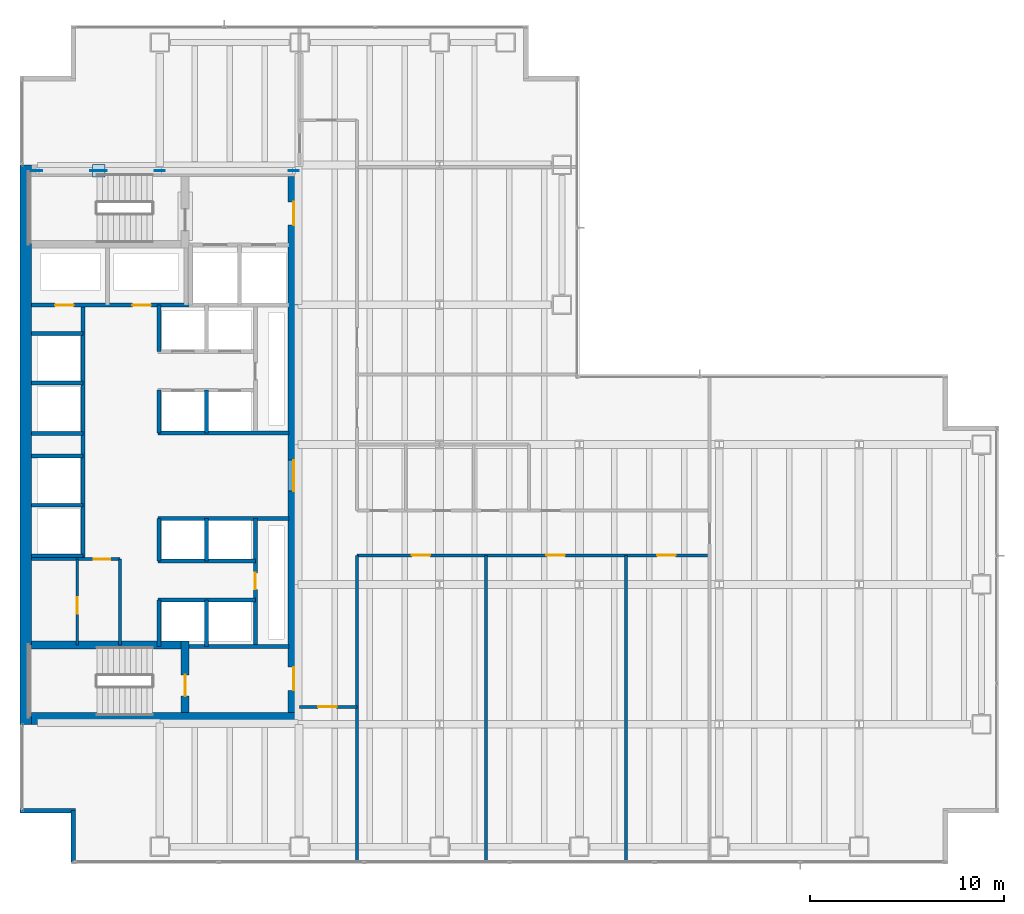
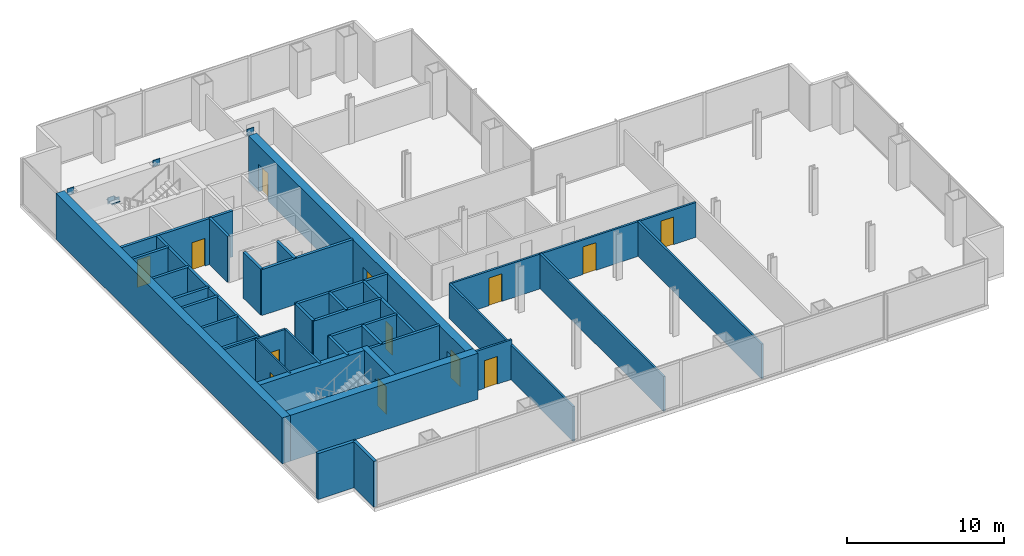
# One storey, part 20 of 25: 37 walls, 13 doors, 6 plates, 13 openings.
"""IFC4 building model written with IfcOpenShell, lengths in metres."""

from ifc_helpers import new_model, si_unit, direction, frame, frame_2d, origin, origin_2d, place, context, subcontext, project, spatial, rectangle, extrude, material, layer, layer_set, type_object, element, fill, save


model = new_model("IFC4")

# Units and contexts
model_context = context("Model", 3, precision=1e-05, world=origin(), true_north=direction((0.0, 1.0)))
body_context = subcontext(model_context, "Body", "Model", "MODEL_VIEW")
ifc_project = project(units=[si_unit("LENGTHUNIT", "METRE"), si_unit("AREAUNIT", "SQUARE_METRE"), si_unit("VOLUMEUNIT", "CUBIC_METRE"), si_unit("PLANEANGLEUNIT", "RADIAN"), si_unit("MASSUNIT", "GRAM", prefix="KILO")], contexts=[model_context])

# Site, building, storey
site_placement = place(None, origin())
site = spatial("IfcSite", under=ifc_project, at=site_placement, CompositionType="ELEMENT")
building_placement = place(site_placement, origin())
building = spatial("IfcBuilding", under=site, at=building_placement, Name="Cobrela Telecom Tower", CompositionType="ELEMENT")
storey_placement = place(building_placement, frame((0.0, 0.0, 46.550048828125)))
storey = spatial("IfcBuildingStorey", under=building, at=storey_placement, Name="L11", CompositionType="ELEMENT", Elevation=46.550048828125)

# Plates
ifc_material_1 = material(Name="Steel ASTM A572 Grade 50", Category="steel")
ifc_layer_1 = layer(ifc_material_1, 0.0419921875)
ifc_layer_set_1 = layer_set([ifc_layer_1], Name="Steel ASTM A572 Grade 50")
plate_type = type_object("IfcPlateType", Name="PLT-NODE-ND1", PredefinedType="USERDEFINED", material=ifc_layer_set_1)
for number, where, z_axis, x_axis, name in (
    (1, (7.199951171875, 35.699951171875, 3.35498046875), (0.0, 0.0, 1.0), (1.0, 0.0, 0.0), "Steel node plate PLT-MBR-EXO-L11-N1-A-1"),
    (2, (4.219482421875, 35.699951171875, 1.431640625), (0.0, 0.0, 1.0), (-1.0, 0.0, 0.0), "Steel node plate PLT-MBR-EXO-L11-N1-B1-1"),
    (3, (3.88037109375, 35.699951171875, 1.62841796875), (0.0, 0.0, 1.0), (-1.0, 0.0, 0.0), "Steel node plate PLT-MBR-EXO-L11-N1-B2-0"),
    (4, (0.89990234375, 35.699951171875, 3.35498046875), (0.0, 0.0, 1.0), (-1.0, 0.0, 0.0), "Steel node plate PLT-MBR-EXO-L11-N1-B2-1"),
):
    element("IfcPlate", number, at=place(storey_placement, frame(where, z_axis=z_axis, x_axis=x_axis)), inside=storey, type_object=plate_type, Name=name, ObjectType="GUSSET PLATE", PredefinedType="USERDEFINED", context=body_context, shape_type="SweptSolid", body=[
        extrude(rectangle(XDim=0.510009765625, YDim=0.044921875, at=origin_2d()), origin(), (0.0, 0.0, 1.0), 0.510009765625),
    ])
plate_1_placement = place(storey_placement, frame((4.050048828125, 35.699951171875, 1.762451171875), z_axis=(0.0, 0.0, 1.0), x_axis=(1.0, 0.0, 0.0)))
element("IfcPlate", 5, at=plate_1_placement, inside=storey, type_object=plate_type, Name="L11 Core Flange Steel X-Brace Central X-Crossing Gusset Plate", ObjectType="GUSSET PLATE", PredefinedType="USERDEFINED", context=body_context, shape_type="SweptSolid", body=[
    extrude(rectangle(XDim=0.64990234375, YDim=0.64990234375, at=origin_2d()), origin(), (0.0, 0.0, 1.0), 0.044921875),
])
plate_2_placement = place(storey_placement, frame((14.10009765625, 35.699951171875, 3.35498046875), z_axis=(0.0, 0.0, 1.0), x_axis=(1.0, 0.0, 0.0)))
element("IfcPlate", 6, at=plate_2_placement, inside=storey, type_object=plate_type, Name="Steel node plate PLT-MBR-EXO-L11-N2-1", ObjectType="GUSSET PLATE", PredefinedType="USERDEFINED", context=body_context, shape_type="SweptSolid", body=[
    extrude(rectangle(XDim=0.510009765625, YDim=0.044921875, at=origin_2d()), origin(), (0.0, 0.0, 1.0), 0.510009765625),
])

# Walls
ifc_material_2 = material(Name="Concrete C50/60", Category="concrete")
ifc_layer_2 = layer(ifc_material_2, 0.60009765625)
ifc_layer_set_2 = layer_set([ifc_layer_2], Name="Concrete C50/60")
wall_type_1 = type_object("IfcWallType", Name="WALL-CORE-C50-600", PredefinedType="SHEAR", material=ifc_layer_set_2)
wall_1_placement = place(storey_placement, frame((0.300048828125, 7.199951171875, 0.0), z_axis=(0.0, 0.0, 1.0), x_axis=(0.0, 1.0, 0.0)))
element("IfcWall", 7, at=wall_1_placement, inside=storey, type_object=wall_type_1, Name="L11 West Core Shear Wall", PredefinedType="SHEAR", context=body_context, shape_type="SweptSolid", body=[
    extrude(rectangle(XDim=28.800048828125, YDim=0.60009765625, at=frame_2d((14.39990234375, 0.0))), origin(), (0.0, 0.0, 1.0), 3.570068359375),
])
wall_2_placement = place(storey_placement, frame((0.60009765625, 7.5, 0.0), z_axis=(0.0, 0.0, 1.0), x_axis=(1.0, 0.0, 0.0)))
element("IfcWall", 8, at=wall_2_placement, inside=storey, type_object=wall_type_1, Name="L11 South Core Shear Wall", PredefinedType="SHEAR", context=body_context, shape_type="SweptSolid", body=[
    extrude(rectangle(XDim=13.7998046875, YDim=0.60009765625, at=frame_2d((6.89990234375, 0.0))), origin(), (0.0, 0.0, 1.0), 3.570068359375),
])

# Wall, openings, doors
wall_3_placement = place(storey_placement, frame((14.10009765625, 35.39990234375, 0.0), z_axis=(0.0, 0.0, 1.0), x_axis=(0.0, -1.0, 0.0)))
wall_3 = element("IfcWall", 9, at=wall_3_placement, inside=storey, type_object=wall_type_1, Name="L11 East Core Shear Wall", PredefinedType="SHEAR", context=body_context, shape_type="SweptSolid", body=[
    extrude(rectangle(XDim=27.599853515625, YDim=0.60009765625, at=frame_2d((13.7998046875, 0.0))), origin(), (0.0, 0.0, 1.0), 3.570068359375),
])
opening_1_placement = place(wall_3_placement, frame((1.300048828125, 0.0, 0.0)))
opening_1 = element("IfcOpeningElement", 10, at=opening_1_placement, cuts=wall_3, Name="Opening DR-19", PredefinedType="OPENING", context=body_context, shape_type="SweptSolid", body=[
    extrude(rectangle(XDim=1.199951171875, YDim=2.14990234375, at=frame_2d((0.60009765625, 1.074951171875))), frame((0.0, 0.31201171875, 0.0), z_axis=(0.0, -1.0, 0.0), x_axis=(1.0, 0.0, 0.0)), (0.0, 0.0, 1.0), 0.6240234375),
])
opening_2_placement = place(wall_3_placement, frame((25.25, 0.0, 0.0)))
opening_2 = element("IfcOpeningElement", 11, at=opening_2_placement, cuts=wall_3, Name="Opening DR-19", PredefinedType="OPENING", context=body_context, shape_type="SweptSolid", body=[
    extrude(rectangle(XDim=1.199951171875, YDim=2.14990234375, at=frame_2d((0.60009765625, 1.074951171875))), frame((0.0, 0.31201171875, 0.0), z_axis=(0.0, -1.0, 0.0), x_axis=(1.0, 0.0, 0.0)), (0.0, 0.0, 1.0), 0.6240234375),
])
opening_3_placement = place(wall_3_placement, frame((14.60009765625, 0.0, 0.0)))
opening_3 = element("IfcOpeningElement", 12, at=opening_3_placement, cuts=wall_3, Name="Opening DR-51", PredefinedType="OPENING", context=body_context, shape_type="SweptSolid", body=[
    extrude(rectangle(XDim=1.60009765625, YDim=2.199951171875, at=frame_2d((0.800048828125, 1.10009765625))), frame((0.0, 0.31201171875, 0.0), z_axis=(0.0, -1.0, 0.0), x_axis=(1.0, 0.0, 0.0)), (0.0, 0.0, 1.0), 0.6240234375),
])
ifc_material_3 = material(Name="Steel ASTM A36", Category="steel")
door_type_1 = type_object("IfcDoorType", Name="DOOR-FD60-1200", OperationType="SINGLE_SWING_LEFT", PredefinedType="DOOR", material=ifc_material_3)
door_1_placement = place(opening_1_placement, origin())
door_1 = element("IfcDoor", 13, at=door_1_placement, inside=storey, type_object=door_type_1, Name="L11 Door DR-19", OperationType="SINGLE_SWING_LEFT", OverallHeight=2.14990234375, OverallWidth=1.199951171875, PredefinedType="DOOR", context=body_context, shape_type="SweptSolid", body=[
    extrude(rectangle(XDim=1.199951171875, YDim=2.14990234375, at=frame_2d((0.60009765625, 1.074951171875))), frame((0.0, 0.02490234375, 0.0), z_axis=(0.0, -1.0, 0.0), x_axis=(1.0, 0.0, 0.0)), (0.0, 0.0, 1.0), 0.050048828125),
])
fill(opening_1, door_1)
door_2_placement = place(opening_2_placement, origin())
door_2 = element("IfcDoor", 14, at=door_2_placement, inside=storey, type_object=door_type_1, Name="L11 Door DR-19", OperationType="SINGLE_SWING_RIGHT", OverallHeight=2.14990234375, OverallWidth=1.199951171875, PredefinedType="DOOR", context=body_context, shape_type="SweptSolid", body=[
    extrude(rectangle(XDim=1.199951171875, YDim=2.14990234375, at=frame_2d((0.60009765625, 1.074951171875))), frame((0.0, 0.02490234375, 0.0), z_axis=(0.0, -1.0, 0.0), x_axis=(1.0, 0.0, 0.0)), (0.0, 0.0, 1.0), 0.050048828125),
])
fill(opening_2, door_2)
door_type_2 = type_object("IfcDoorType", Name="DOOR-FD60-1600", OperationType="SINGLE_SWING_LEFT", PredefinedType="DOOR", material=ifc_material_3)
door_3_placement = place(opening_3_placement, origin())
door_3 = element("IfcDoor", 15, at=door_3_placement, inside=storey, type_object=door_type_2, Name="L11 Door DR-51", OperationType="DOUBLE_DOOR_SINGLE_SWING", OverallHeight=2.199951171875, OverallWidth=1.60009765625, PredefinedType="DOOR", context=body_context, shape_type="SweptSolid", body=[
    extrude(rectangle(XDim=1.60009765625, YDim=2.199951171875, at=frame_2d((0.800048828125, 1.10009765625))), frame((0.0, 0.02490234375, 0.0), z_axis=(0.0, -1.0, 0.0), x_axis=(1.0, 0.0, 0.0)), (0.0, 0.0, 1.0), 0.050048828125),
])
fill(opening_3, door_3)

# Walls
ifc_material_4 = material(Name="Concrete C40/50", Category="concrete")
ifc_layer_3 = layer(ifc_material_4, 0.239990234375)
ifc_layer_set_3 = layer_set([ifc_layer_3], Name="Concrete C40/50")
wall_type_2 = type_object("IfcWallType", Name="WALL-EXT-300", PredefinedType="STANDARD", material=ifc_layer_set_3)
wall_4_placement = place(storey_placement, frame((2.75, 0.1201171875, 0.0), z_axis=(0.0, 0.0, 1.0), x_axis=(0.0, 1.0, 0.0)))
element("IfcWall", 16, at=wall_4_placement, inside=storey, type_object=wall_type_2, Name="L11 Insulated Facade Wall 01", PredefinedType="STANDARD", context=body_context, shape_type="SweptSolid", body=[
    extrude(rectangle(XDim=2.6298828125, YDim=0.239990234375, at=frame_2d((1.31494140625, 0.0))), origin(), (0.0, 0.0, 1.0), 3.570068359375),
])
wall_5_placement = place(storey_placement, frame((2.8701171875, 2.75, 0.0), z_axis=(0.0, 0.0, 1.0), x_axis=(-1.0, 0.0, 0.0)))
element("IfcWall", 17, at=wall_5_placement, inside=storey, type_object=wall_type_2, Name="L11 Insulated Facade Wall 02", PredefinedType="STANDARD", context=body_context, shape_type="SweptSolid", body=[
    extrude(rectangle(XDim=2.8701171875, YDim=0.239990234375, at=frame_2d((1.43505859375, 0.0))), origin(), (0.0, 0.0, 1.0), 3.570068359375),
])

# Wall, opening, door
ifc_material_5 = material(Name="Fire-Rated Gypsum Plasterboard")
ifc_layer_4 = layer(ifc_material_5, 0.125)
ifc_layer_set_4 = layer_set([ifc_layer_4], Name="Fire-Rated Gypsum Plasterboard")
wall_type_3 = type_object("IfcWallType", Name="WALL-PART-125", PredefinedType="PARTITIONING", material=ifc_layer_set_4)
wall_6_placement = place(storey_placement, frame((2.949951171875, 11.280029296875, 0.0), z_axis=(0.0, 0.0, 1.0), x_axis=(0.0, 1.0, 0.0)))
wall_6 = element("IfcWall", 18, at=wall_6_placement, inside=storey, type_object=wall_type_3, Name="L11 Interior Partition CW-FK1-V", PredefinedType="PARTITIONING", context=body_context, shape_type="SweptSolid", body=[
    extrude(rectangle(XDim=4.419921875, YDim=0.125, at=frame_2d((2.2099609375, 0.0))), origin(), (0.0, 0.0, 1.0), 3.570068359375),
])
opening_4_placement = place(wall_6_placement, frame((1.60009765625, 0.0, 0.0)))
opening_4 = element("IfcOpeningElement", 19, at=opening_4_placement, cuts=wall_6, Name="Opening DR-11", PredefinedType="OPENING", context=body_context, shape_type="SweptSolid", body=[
    extrude(rectangle(XDim=0.85009765625, YDim=2.14990234375, at=frame_2d((0.425048828125, 1.074951171875))), frame((0.0, 0.074462890625, 0.0), z_axis=(0.0, -1.0, 0.0), x_axis=(1.0, 0.0, 0.0)), (0.0, 0.0, 1.0), 0.14892578125),
])
ifc_material_6 = material(Name="Solid Engineered Oak Timber", Category="wood")
door_type_3 = type_object("IfcDoorType", Name="DOOR-INT-850", OperationType="SINGLE_SWING_LEFT", PredefinedType="DOOR", material=ifc_material_6)
door_4_placement = place(opening_4_placement, origin())
door_4 = element("IfcDoor", 20, at=door_4_placement, inside=storey, type_object=door_type_3, Name="L11 Door DR-11", OperationType="SINGLE_SWING_RIGHT", OverallHeight=2.14990234375, OverallWidth=0.85009765625, PredefinedType="DOOR", context=body_context, shape_type="SweptSolid", body=[
    extrude(rectangle(XDim=0.85009765625, YDim=2.14990234375, at=frame_2d((0.425048828125, 1.074951171875))), frame((0.0, 0.02490234375, 0.0), z_axis=(0.0, -1.0, 0.0), x_axis=(1.0, 0.0, 0.0)), (0.0, 0.0, 1.0), 0.050048828125),
])
fill(opening_4, door_4)

ifc_layer_5 = layer(ifc_material_5, 0.14990234375)
ifc_layer_set_5 = layer_set([ifc_layer_5], Name="Fire-Rated Gypsum Plasterboard")
wall_type_4 = type_object("IfcWallType", Name="WALL-PART-150", PredefinedType="PARTITIONING", material=ifc_layer_set_5)
wall_7_placement = place(storey_placement, frame((0.60009765625, 15.699951171875, 0.0), z_axis=(0.0, 0.0, 1.0), x_axis=(1.0, 0.0, 0.0)))
wall_7 = element("IfcWall", 21, at=wall_7_placement, inside=storey, type_object=wall_type_4, Name="L11 Interior Partition CW-FLEX-N", PredefinedType="PARTITIONING", context=body_context, shape_type="SweptSolid", body=[
    extrude(rectangle(XDim=4.5498046875, YDim=0.14990234375, at=frame_2d((2.27490234375, 0.0))), origin(), (0.0, 0.0, 1.0), 3.570068359375),
])
opening_5_placement = place(wall_7_placement, frame((3.199951171875, 0.0, 0.0)))
opening_5 = element("IfcOpeningElement", 22, at=opening_5_placement, cuts=wall_7, Name="Opening DR-11", PredefinedType="OPENING", context=body_context, shape_type="SweptSolid", body=[
    extrude(rectangle(XDim=0.85009765625, YDim=2.14990234375, at=frame_2d((0.425048828125, 1.074951171875))), frame((0.0, 0.0869140625, 0.0), z_axis=(0.0, -1.0, 0.0), x_axis=(1.0, 0.0, 0.0)), (0.0, 0.0, 1.0), 0.173828125),
])
door_5_placement = place(opening_5_placement, origin())
door_5 = element("IfcDoor", 23, at=door_5_placement, inside=storey, type_object=door_type_3, Name="L11 Door DR-11", OperationType="SINGLE_SWING_LEFT", OverallHeight=2.14990234375, OverallWidth=0.85009765625, PredefinedType="DOOR", context=body_context, shape_type="SweptSolid", body=[
    extrude(rectangle(XDim=0.85009765625, YDim=2.14990234375, at=frame_2d((0.425048828125, 1.074951171875))), frame((0.0, 0.02490234375, 0.0), z_axis=(0.0, -1.0, 0.0), x_axis=(1.0, 0.0, 0.0)), (0.0, 0.0, 1.0), 0.050048828125),
])
fill(opening_5, door_5)

# Wall
wall_8_placement = place(storey_placement, frame((5.14990234375, 11.280029296875, 0.0), z_axis=(0.0, 0.0, 1.0), x_axis=(0.0, 1.0, 0.0)))
element("IfcWall", 24, at=wall_8_placement, inside=storey, type_object=wall_type_4, Name="L11 Interior Partition CW-FLEX-E", PredefinedType="PARTITIONING", context=body_context, shape_type="SweptSolid", body=[
    extrude(rectangle(XDim=4.419921875, YDim=0.14990234375, at=frame_2d((2.2099609375, 0.0))), origin(), (0.0, 0.0, 1.0), 3.570068359375),
])

# Wall, opening, door
wall_9_placement = place(storey_placement, frame((14.39990234375, 8.10009765625, 0.0), z_axis=(0.0, 0.0, 1.0), x_axis=(1.0, 0.0, 0.0)))
wall_9 = element("IfcWall", 25, at=wall_9_placement, inside=storey, type_object=wall_type_4, Name="L11 Interior Partition W-C-S0", PredefinedType="PARTITIONING", context=body_context, shape_type="SweptSolid", body=[
    extrude(rectangle(XDim=2.9501953125, YDim=0.14990234375, at=frame_2d((1.47509765625, 0.0))), origin(), (0.0, 0.0, 1.0), 3.087890625),
])
opening_6_placement = place(wall_9_placement, frame((0.949951171875, 0.0, 0.0)))
opening_6 = element("IfcOpeningElement", 26, at=opening_6_placement, cuts=wall_9, Name="Opening DR-67", PredefinedType="OPENING", context=body_context, shape_type="SweptSolid", body=[
    extrude(rectangle(XDim=0.949951171875, YDim=2.14990234375, at=frame_2d((0.47509765625, 1.074951171875))), frame((0.0, 0.0869140625, 0.0), z_axis=(0.0, -1.0, 0.0), x_axis=(1.0, 0.0, 0.0)), (0.0, 0.0, 1.0), 0.173828125),
])
door_type_4 = type_object("IfcDoorType", Name="DOOR-INT-950", OperationType="SINGLE_SWING_LEFT", PredefinedType="DOOR", material=ifc_material_6)
door_6_placement = place(opening_6_placement, origin())
door_6 = element("IfcDoor", 27, at=door_6_placement, inside=storey, type_object=door_type_4, Name="L11 Door DR-67", OperationType="SINGLE_SWING_RIGHT", OverallHeight=2.14990234375, OverallWidth=0.949951171875, PredefinedType="DOOR", context=body_context, shape_type="SweptSolid", body=[
    extrude(rectangle(XDim=0.949951171875, YDim=2.14990234375, at=frame_2d((0.47509765625, 1.074951171875))), frame((0.0, 0.02490234375, 0.0), z_axis=(0.0, -1.0, 0.0), x_axis=(1.0, 0.0, 0.0)), (0.0, 0.0, 1.0), 0.050048828125),
])
fill(opening_6, door_6)

# Wall
wall_10_placement = place(storey_placement, frame((17.35009765625, 8.10009765625, 0.0), z_axis=(0.0, 0.0, 1.0), x_axis=(0.0, 1.0, 0.0)))
element("IfcWall", 28, at=wall_10_placement, inside=storey, type_object=wall_type_4, Name="L11 Interior Partition W-C-E1", PredefinedType="PARTITIONING", context=body_context, shape_type="SweptSolid", body=[
    extrude(rectangle(XDim=7.7998046875, YDim=0.14990234375, at=frame_2d((3.89990234375, 0.0))), origin(), (0.0, 0.0, 1.0), 2.698974609375),
])

# Wall, openings, doors
wall_11_placement = place(storey_placement, frame((17.35009765625, 15.89990234375, 0.0), z_axis=(0.0, 0.0, 1.0), x_axis=(1.0, 0.0, 0.0)))
wall_11 = element("IfcWall", 29, at=wall_11_placement, inside=storey, type_object=wall_type_4, Name="L11 Interior Partition W-C-HS", PredefinedType="PARTITIONING", context=body_context, shape_type="SweptSolid", body=[
    extrude(rectangle(XDim=18.0498046875, YDim=0.14990234375, at=frame_2d((9.02490234375, 0.0))), origin(), (0.0, 0.0, 1.0), 2.698974609375),
])
opening_7_placement = place(wall_11_placement, frame((2.820068359375, 0.0, 0.0)))
opening_7 = element("IfcOpeningElement", 30, at=opening_7_placement, cuts=wall_11, Name="Opening DR-67", PredefinedType="OPENING", context=body_context, shape_type="SweptSolid", body=[
    extrude(rectangle(XDim=0.949951171875, YDim=2.14990234375, at=frame_2d((0.47509765625, 1.074951171875))), frame((0.0, 0.0869140625, 0.0), z_axis=(0.0, -1.0, 0.0), x_axis=(1.0, 0.0, 0.0)), (0.0, 0.0, 1.0), 0.173828125),
])
opening_8_placement = place(wall_11_placement, frame((9.75, 0.0, 0.0)))
opening_8 = element("IfcOpeningElement", 31, at=opening_8_placement, cuts=wall_11, Name="Opening DR-67", PredefinedType="OPENING", context=body_context, shape_type="SweptSolid", body=[
    extrude(rectangle(XDim=0.949951171875, YDim=2.14990234375, at=frame_2d((0.47509765625, 1.074951171875))), frame((0.0, 0.0869140625, 0.0), z_axis=(0.0, -1.0, 0.0), x_axis=(1.0, 0.0, 0.0)), (0.0, 0.0, 1.0), 0.173828125),
])
opening_9_placement = place(wall_11_placement, frame((15.449951171875, 0.0, 0.0)))
opening_9 = element("IfcOpeningElement", 32, at=opening_9_placement, cuts=wall_11, Name="Opening DR-67", PredefinedType="OPENING", context=body_context, shape_type="SweptSolid", body=[
    extrude(rectangle(XDim=0.949951171875, YDim=2.14990234375, at=frame_2d((0.47509765625, 1.074951171875))), frame((0.0, 0.0869140625, 0.0), z_axis=(0.0, -1.0, 0.0), x_axis=(1.0, 0.0, 0.0)), (0.0, 0.0, 1.0), 0.173828125),
])
door_7_placement = place(opening_7_placement, origin())
door_7 = element("IfcDoor", 33, at=door_7_placement, inside=storey, type_object=door_type_4, Name="L11 Door DR-67", OperationType="SINGLE_SWING_LEFT", OverallHeight=2.14990234375, OverallWidth=0.949951171875, PredefinedType="DOOR", context=body_context, shape_type="SweptSolid", body=[
    extrude(rectangle(XDim=0.949951171875, YDim=2.14990234375, at=frame_2d((0.47509765625, 1.074951171875))), frame((0.0, 0.02490234375, 0.0), z_axis=(0.0, -1.0, 0.0), x_axis=(1.0, 0.0, 0.0)), (0.0, 0.0, 1.0), 0.050048828125),
])
fill(opening_7, door_7)
door_8_placement = place(opening_8_placement, origin())
door_8 = element("IfcDoor", 34, at=door_8_placement, inside=storey, type_object=door_type_4, Name="L11 Door DR-67", OperationType="SINGLE_SWING_RIGHT", OverallHeight=2.14990234375, OverallWidth=0.949951171875, PredefinedType="DOOR", context=body_context, shape_type="SweptSolid", body=[
    extrude(rectangle(XDim=0.949951171875, YDim=2.14990234375, at=frame_2d((0.47509765625, 1.074951171875))), frame((0.0, 0.02490234375, 0.0), z_axis=(0.0, -1.0, 0.0), x_axis=(1.0, 0.0, 0.0)), (0.0, 0.0, 1.0), 0.050048828125),
])
fill(opening_8, door_8)
door_9_placement = place(opening_9_placement, origin())
door_9 = element("IfcDoor", 35, at=door_9_placement, inside=storey, type_object=door_type_4, Name="L11 Door DR-67", OperationType="SINGLE_SWING_LEFT", OverallHeight=2.14990234375, OverallWidth=0.949951171875, PredefinedType="DOOR", context=body_context, shape_type="SweptSolid", body=[
    extrude(rectangle(XDim=0.949951171875, YDim=2.14990234375, at=frame_2d((0.47509765625, 1.074951171875))), frame((0.0, 0.02490234375, 0.0), z_axis=(0.0, -1.0, 0.0), x_axis=(1.0, 0.0, 0.0)), (0.0, 0.0, 1.0), 0.050048828125),
])
fill(opening_9, door_9)

# Walls
wall_12_placement = place(storey_placement, frame((17.35009765625, 0.1201171875, 0.0), z_axis=(0.0, 0.0, 1.0), x_axis=(0.0, 1.0, 0.0)))
element("IfcWall", 36, at=wall_12_placement, inside=storey, type_object=wall_type_4, Name="L11 Interior Partition W-SW-E", PredefinedType="PARTITIONING", context=body_context, shape_type="SweptSolid", body=[
    extrude(rectangle(XDim=7.97998046875, YDim=0.14990234375, at=frame_2d((3.989990234375, 0.0))), origin(), (0.0, 0.0, 1.0), 2.698974609375),
])
for number, where, z_axis, x_axis, name in (
    (37, (24.0, 0.1201171875, 0.0), (0.0, 0.0, 1.0), (0.0, 1.0, 0.0), "L11 Interior Partition W-SV-1"),
    (38, (31.199951171875, 0.1201171875, 0.0), (0.0, 0.0, 1.0), (0.0, 1.0, 0.0), "L11 Interior Partition W-SV-2"),
):
    element("IfcWall", number, at=place(storey_placement, frame(where, z_axis=z_axis, x_axis=x_axis)), inside=storey, type_object=wall_type_4, Name=name, PredefinedType="PARTITIONING", context=body_context, shape_type="SweptSolid", body=[
        extrude(rectangle(XDim=15.77978515625, YDim=0.14990234375, at=frame_2d((7.889892578125, 0.0))), origin(), (0.0, 0.0, 1.0), 2.698974609375),
    ])
ifc_layer_6 = layer(ifc_material_5, 0.199951171875)
ifc_layer_set_6 = layer_set([ifc_layer_6], Name="Fire-Rated Gypsum Plasterboard")
wall_type_5 = type_object("IfcWallType", Name="WALL-SHAFT-200", PredefinedType="PARTITIONING", material=ifc_layer_set_6)
wall_13_placement = place(storey_placement, frame((8.699951171875, 11.199951171875, 0.0), z_axis=(0.0, 0.0, 1.0), x_axis=(1.0, 0.0, 0.0)))
element("IfcWall", 39, at=wall_13_placement, inside=storey, type_object=wall_type_5, Name="L11 Shaft Enclosure CW-ST2L-N", PredefinedType="PARTITIONING", context=body_context, shape_type="SweptSolid", body=[
    extrude(rectangle(XDim=5.150146484375, YDim=0.199951171875, at=frame_2d((2.5751953125, 0.0))), origin(), (0.0, 0.0, 1.0), 3.570068359375),
])

# Wall, openings, doors
wall_14_placement = place(storey_placement, frame((0.60009765625, 28.780029296875, 0.0), z_axis=(0.0, 0.0, 1.0), x_axis=(1.0, 0.0, 0.0)))
wall_14 = element("IfcWall", 40, at=wall_14_placement, inside=storey, type_object=wall_type_5, Name="L11 Shaft Enclosure CW-RIS-S", PredefinedType="PARTITIONING", context=body_context, shape_type="SweptSolid", body=[
    extrude(rectangle(XDim=8.179931640625, YDim=0.199951171875, at=frame_2d((4.08984375, 0.0))), origin(), (0.0, 0.0, 1.0), 3.570068359375),
])
opening_10_placement = place(wall_14_placement, frame((1.2099609375, 0.0, 0.0)))
opening_10 = element("IfcOpeningElement", 41, at=opening_10_placement, cuts=wall_14, Name="Opening DR-65", PredefinedType="OPENING", context=body_context, shape_type="SweptSolid", body=[
    extrude(rectangle(XDim=0.949951171875, YDim=2.14990234375, at=frame_2d((0.47509765625, 1.074951171875))), frame((0.0, 0.11181640625, 0.0), z_axis=(0.0, -1.0, 0.0), x_axis=(1.0, 0.0, 0.0)), (0.0, 0.0, 1.0), 0.223876953125),
])
opening_11_placement = place(wall_14_placement, frame((5.18994140625, 0.0, 0.0)))
opening_11 = element("IfcOpeningElement", 42, at=opening_11_placement, cuts=wall_14, Name="Opening DR-65", PredefinedType="OPENING", context=body_context, shape_type="SweptSolid", body=[
    extrude(rectangle(XDim=0.949951171875, YDim=2.14990234375, at=frame_2d((0.47509765625, 1.074951171875))), frame((0.0, 0.11181640625, 0.0), z_axis=(0.0, -1.0, 0.0), x_axis=(1.0, 0.0, 0.0)), (0.0, 0.0, 1.0), 0.223876953125),
])
door_type_5 = type_object("IfcDoorType", Name="DOOR-FD60-950", OperationType="SINGLE_SWING_LEFT", PredefinedType="DOOR", material=ifc_material_3)
door_10_placement = place(opening_10_placement, origin())
door_10 = element("IfcDoor", 43, at=door_10_placement, inside=storey, type_object=door_type_5, Name="L11 Door DR-65", OperationType="SINGLE_SWING_LEFT", OverallHeight=2.14990234375, OverallWidth=0.949951171875, PredefinedType="DOOR", context=body_context, shape_type="SweptSolid", body=[
    extrude(rectangle(XDim=0.949951171875, YDim=2.14990234375, at=frame_2d((0.47509765625, 1.074951171875))), frame((0.0, 0.02490234375, 0.0), z_axis=(0.0, -1.0, 0.0), x_axis=(1.0, 0.0, 0.0)), (0.0, 0.0, 1.0), 0.050048828125),
])
fill(opening_10, door_10)
door_11_placement = place(opening_11_placement, origin())
door_11 = element("IfcDoor", 44, at=door_11_placement, inside=storey, type_object=door_type_5, Name="L11 Door DR-65", OperationType="SINGLE_SWING_RIGHT", OverallHeight=2.14990234375, OverallWidth=0.949951171875, PredefinedType="DOOR", context=body_context, shape_type="SweptSolid", body=[
    extrude(rectangle(XDim=0.949951171875, YDim=2.14990234375, at=frame_2d((0.47509765625, 1.074951171875))), frame((0.0, 0.02490234375, 0.0), z_axis=(0.0, -1.0, 0.0), x_axis=(1.0, 0.0, 0.0)), (0.0, 0.0, 1.0), 0.050048828125),
])
fill(opening_11, door_11)

# Walls
wall_15_placement = place(storey_placement, frame((3.25, 15.699951171875, 0.0), z_axis=(0.0, 0.0, 1.0), x_axis=(0.0, 1.0, 0.0)))
element("IfcWall", 45, at=wall_15_placement, inside=storey, type_object=wall_type_5, Name="L11 Shaft Enclosure CW-PLH-E", PredefinedType="PARTITIONING", context=body_context, shape_type="SweptSolid", body=[
    extrude(rectangle(XDim=13.080078125, YDim=0.199951171875, at=frame_2d((6.5400390625, 0.0))), origin(), (0.0, 0.0, 1.0), 3.570068359375),
])
for number, where, z_axis, x_axis, name in (
    (46, (0.60009765625, 15.8798828125, 0.0), (0.0, 0.0, 1.0), (1.0, 0.0, 0.0), "L11 Shaft Enclosure CW-PLH-D9"),
    (47, (0.60009765625, 18.47998046875, 0.0), (0.0, 0.0, 1.0), (1.0, 0.0, 0.0), "L11 Shaft Enclosure CW-PLH-D10"),
    (48, (0.60009765625, 22.179931640625, 0.0), (0.0, 0.0, 1.0), (1.0, 0.0, 0.0), "L11 Shaft Enclosure CW-PLH-D11"),
    (49, (0.60009765625, 24.780029296875, 0.0), (0.0, 0.0, 1.0), (1.0, 0.0, 0.0), "L11 Shaft Enclosure CW-PLH-D12"),
    (50, (0.60009765625, 21.02001953125, 0.0), (0.0, 0.0, 1.0), (1.0, 0.0, 0.0), "L11 Shaft Enclosure CW-PLH-MID"),
    (51, (0.60009765625, 27.320068359375, 0.0), (0.0, 0.0, 1.0), (1.0, 0.0, 0.0), "L11 Shaft Enclosure CW-PLH-TOP"),
):
    element("IfcWall", number, at=place(storey_placement, frame(where, z_axis=z_axis, x_axis=x_axis)), inside=storey, type_object=wall_type_5, Name=name, PredefinedType="PARTITIONING", context=body_context, shape_type="SweptSolid", body=[
        extrude(rectangle(XDim=2.64990234375, YDim=0.199951171875, at=frame_2d((1.324951171875, 0.0))), origin(), (0.0, 0.0, 1.0), 3.570068359375),
    ])
wall_16_placement = place(storey_placement, frame((7.10009765625, 22.199951171875, 0.0), z_axis=(0.0, 0.0, 1.0), x_axis=(1.0, 0.0, 0.0)))
element("IfcWall", 52, at=wall_16_placement, inside=storey, type_object=wall_type_5, Name="L11 Shaft Enclosure CW-PLL-B0", PredefinedType="PARTITIONING", context=body_context, shape_type="SweptSolid", body=[
    extrude(rectangle(XDim=6.75, YDim=0.199951171875, at=frame_2d((3.375, 0.0))), origin(), (0.0, 0.0, 1.0), 3.570068359375),
])
wall_17_placement = place(storey_placement, frame((7.14990234375, 22.199951171875, 0.0), z_axis=(0.0, 0.0, 1.0), x_axis=(0.0, 1.0, 0.0)))
element("IfcWall", 53, at=wall_17_placement, inside=storey, type_object=wall_type_5, Name="L11 Shaft Enclosure CW-PLL-V1", PredefinedType="PARTITIONING", context=body_context, shape_type="SweptSolid", body=[
    extrude(rectangle(XDim=2.199951171875, YDim=0.199951171875, at=frame_2d((1.10009765625, 0.0))), origin(), (0.0, 0.0, 1.0), 3.570068359375),
])
wall_18_placement = place(storey_placement, frame((7.14990234375, 26.39990234375, 0.0), z_axis=(0.0, 0.0, 1.0), x_axis=(0.0, 1.0, 0.0)))
element("IfcWall", 54, at=wall_18_placement, inside=storey, type_object=wall_type_5, Name="L11 Shaft Enclosure CW-PLL-V1B", PredefinedType="PARTITIONING", context=body_context, shape_type="SweptSolid", body=[
    extrude(rectangle(XDim=2.380126953125, YDim=0.199951171875, at=frame_2d((1.18994140625, 0.0))), origin(), (0.0, 0.0, 1.0), 3.570068359375),
])
wall_19_placement = place(storey_placement, frame((9.60009765625, 22.199951171875, 0.0), z_axis=(0.0, 0.0, 1.0), x_axis=(0.0, 1.0, 0.0)))
element("IfcWall", 55, at=wall_19_placement, inside=storey, type_object=wall_type_5, Name="L11 Shaft Enclosure CW-PLL-V2", PredefinedType="PARTITIONING", context=body_context, shape_type="SweptSolid", body=[
    extrude(rectangle(XDim=2.199951171875, YDim=0.199951171875, at=frame_2d((1.10009765625, 0.0))), origin(), (0.0, 0.0, 1.0), 3.570068359375),
])
wall_20_placement = place(storey_placement, frame((7.10009765625, 17.800048828125, 0.0), z_axis=(0.0, 0.0, 1.0), x_axis=(1.0, 0.0, 0.0)))
element("IfcWall", 56, at=wall_20_placement, inside=storey, type_object=wall_type_5, Name="L11 Shaft Enclosure CW-PLM-T0", PredefinedType="PARTITIONING", context=body_context, shape_type="SweptSolid", body=[
    extrude(rectangle(XDim=6.75, YDim=0.199951171875, at=frame_2d((3.375, 0.0))), origin(), (0.0, 0.0, 1.0), 3.570068359375),
])
for number, where, z_axis, x_axis, name in (
    (57, (7.10009765625, 15.60009765625, 0.0), (0.0, 0.0, 1.0), (1.0, 0.0, 0.0), "L11 Shaft Enclosure CW-PLM-N"),
    (58, (7.10009765625, 13.60009765625, 0.0), (0.0, 0.0, 1.0), (1.0, 0.0, 0.0), "L11 Shaft Enclosure CW-PLM-S"),
):
    element("IfcWall", number, at=place(storey_placement, frame(where, z_axis=z_axis, x_axis=x_axis)), inside=storey, type_object=wall_type_5, Name=name, PredefinedType="PARTITIONING", context=body_context, shape_type="SweptSolid", body=[
        extrude(rectangle(XDim=5.02001953125, YDim=0.199951171875, at=frame_2d((2.510009765625, 0.0))), origin(), (0.0, 0.0, 1.0), 3.570068359375),
    ])
wall_21_placement = place(storey_placement, frame((7.14990234375, 15.60009765625, 0.0), z_axis=(0.0, 0.0, 1.0), x_axis=(0.0, 1.0, 0.0)))
element("IfcWall", 59, at=wall_21_placement, inside=storey, type_object=wall_type_5, Name="L11 Shaft Enclosure CW-PLM-V1", PredefinedType="PARTITIONING", context=body_context, shape_type="SweptSolid", body=[
    extrude(rectangle(XDim=2.199951171875, YDim=0.199951171875, at=frame_2d((1.10009765625, 0.0))), origin(), (0.0, 0.0, 1.0), 3.570068359375),
])
wall_22_placement = place(storey_placement, frame((7.14990234375, 11.199951171875, 0.0), z_axis=(0.0, 0.0, 1.0), x_axis=(0.0, 1.0, 0.0)))
element("IfcWall", 60, at=wall_22_placement, inside=storey, type_object=wall_type_5, Name="L11 Shaft Enclosure CW-PLM-V1B", PredefinedType="PARTITIONING", context=body_context, shape_type="SweptSolid", body=[
    extrude(rectangle(XDim=2.400146484375, YDim=0.199951171875, at=frame_2d((1.2001953125, 0.0))), origin(), (0.0, 0.0, 1.0), 3.570068359375),
])
wall_23_placement = place(storey_placement, frame((9.60009765625, 15.60009765625, 0.0), z_axis=(0.0, 0.0, 1.0), x_axis=(0.0, 1.0, 0.0)))
element("IfcWall", 61, at=wall_23_placement, inside=storey, type_object=wall_type_5, Name="L11 Shaft Enclosure CW-PLM-V2", PredefinedType="PARTITIONING", context=body_context, shape_type="SweptSolid", body=[
    extrude(rectangle(XDim=2.199951171875, YDim=0.199951171875, at=frame_2d((1.10009765625, 0.0))), origin(), (0.0, 0.0, 1.0), 3.570068359375),
])
wall_24_placement = place(storey_placement, frame((9.60009765625, 11.199951171875, 0.0), z_axis=(0.0, 0.0, 1.0), x_axis=(0.0, 1.0, 0.0)))
element("IfcWall", 62, at=wall_24_placement, inside=storey, type_object=wall_type_5, Name="L11 Shaft Enclosure CW-PLM-V2B", PredefinedType="PARTITIONING", context=body_context, shape_type="SweptSolid", body=[
    extrude(rectangle(XDim=2.400146484375, YDim=0.199951171875, at=frame_2d((1.2001953125, 0.0))), origin(), (0.0, 0.0, 1.0), 3.570068359375),
])

# Wall, opening, door
wall_25_placement = place(storey_placement, frame((12.1201171875, 11.199951171875, 0.0), z_axis=(0.0, 0.0, 1.0), x_axis=(0.0, 1.0, 0.0)))
wall_25 = element("IfcWall", 63, at=wall_25_placement, inside=storey, type_object=wall_type_5, Name="L11 Shaft Enclosure CW-PLM-V3", PredefinedType="PARTITIONING", context=body_context, shape_type="SweptSolid", body=[
    extrude(rectangle(XDim=6.60009765625, YDim=0.199951171875, at=frame_2d((3.300048828125, 0.0))), origin(), (0.0, 0.0, 1.0), 3.570068359375),
])
opening_12_placement = place(wall_25_placement, frame((2.949951171875, 0.0, 0.0)))
opening_12 = element("IfcOpeningElement", 64, at=opening_12_placement, cuts=wall_25, Name="Opening DR-11", PredefinedType="OPENING", context=body_context, shape_type="SweptSolid", body=[
    extrude(rectangle(XDim=0.85009765625, YDim=2.14990234375, at=frame_2d((0.425048828125, 1.074951171875))), frame((0.0, 0.11181640625, 0.0), z_axis=(0.0, -1.0, 0.0), x_axis=(1.0, 0.0, 0.0)), (0.0, 0.0, 1.0), 0.223876953125),
])
door_12_placement = place(opening_12_placement, origin())
door_12 = element("IfcDoor", 65, at=door_12_placement, inside=storey, type_object=door_type_3, Name="L11 Door DR-11", OperationType="SINGLE_SWING_RIGHT", OverallHeight=2.14990234375, OverallWidth=0.85009765625, PredefinedType="DOOR", context=body_context, shape_type="SweptSolid", body=[
    extrude(rectangle(XDim=0.85009765625, YDim=2.14990234375, at=frame_2d((0.425048828125, 1.074951171875))), frame((0.0, 0.02490234375, 0.0), z_axis=(0.0, -1.0, 0.0), x_axis=(1.0, 0.0, 0.0)), (0.0, 0.0, 1.0), 0.050048828125),
])
fill(opening_12, door_12)

# Wall
ifc_layer_7 = layer(ifc_material_4, 0.39990234375)
ifc_layer_set_7 = layer_set([ifc_layer_7], Name="Concrete C40/50")
wall_type_6 = type_object("IfcWallType", Name="WALL-SHAFT-C40-400", PredefinedType="SHEAR", material=ifc_layer_set_7)
wall_26_placement = place(storey_placement, frame((0.60009765625, 11.280029296875, 0.0), z_axis=(0.0, 0.0, 1.0), x_axis=(1.0, 0.0, 0.0)))
element("IfcWall", 66, at=wall_26_placement, inside=storey, type_object=wall_type_6, Name="L11 South Stair Shear Wall", PredefinedType="SHEAR", context=body_context, shape_type="SweptSolid", body=[
    extrude(rectangle(XDim=7.699951171875, YDim=0.39990234375, at=frame_2d((3.85009765625, 0.0))), origin(), (0.0, 0.0, 1.0), 3.570068359375),
])

# Wall, opening, door
wall_27_placement = place(storey_placement, frame((8.5, 7.800048828125, 0.0), z_axis=(0.0, 0.0, 1.0), x_axis=(0.0, 1.0, 0.0)))
wall_27 = element("IfcWall", 67, at=wall_27_placement, inside=storey, type_object=wall_type_6, Name="L11 South Stair Lobby Shear Wall", PredefinedType="SHEAR", context=body_context, shape_type="SweptSolid", body=[
    extrude(rectangle(XDim=3.679931640625, YDim=0.39990234375, at=frame_2d((1.83984375, 0.0))), origin(), (0.0, 0.0, 1.0), 3.570068359375),
])
opening_13_placement = place(wall_27_placement, frame((0.85009765625, 0.0, 0.0)))
opening_13 = element("IfcOpeningElement", 68, at=opening_13_placement, cuts=wall_27, Name="Opening FD-90", PredefinedType="OPENING", context=body_context, shape_type="SweptSolid", body=[
    extrude(rectangle(XDim=1.10009765625, YDim=2.14990234375, at=frame_2d((0.550048828125, 1.074951171875))), frame((0.0, 0.2119140625, 0.0), z_axis=(0.0, -1.0, 0.0), x_axis=(1.0, 0.0, 0.0)), (0.0, 0.0, 1.0), 0.423828125),
])
door_type_6 = type_object("IfcDoorType", Name="DOOR-FD90-1100", OperationType="SINGLE_SWING_LEFT", PredefinedType="DOOR", material=ifc_material_3)
door_13_placement = place(opening_13_placement, origin())
door_13 = element("IfcDoor", 69, at=door_13_placement, inside=storey, type_object=door_type_6, Name="L11 Door FD-90", OperationType="SINGLE_SWING_LEFT", OverallHeight=2.14990234375, OverallWidth=1.10009765625, PredefinedType="DOOR", context=body_context, shape_type="SweptSolid", body=[
    extrude(rectangle(XDim=1.10009765625, YDim=2.14990234375, at=frame_2d((0.550048828125, 1.074951171875))), frame((0.0, 0.02490234375, 0.0), z_axis=(0.0, -1.0, 0.0), x_axis=(1.0, 0.0, 0.0)), (0.0, 0.0, 1.0), 0.050048828125),
])
fill(opening_13, door_13)

save(model, "model.ifc")
